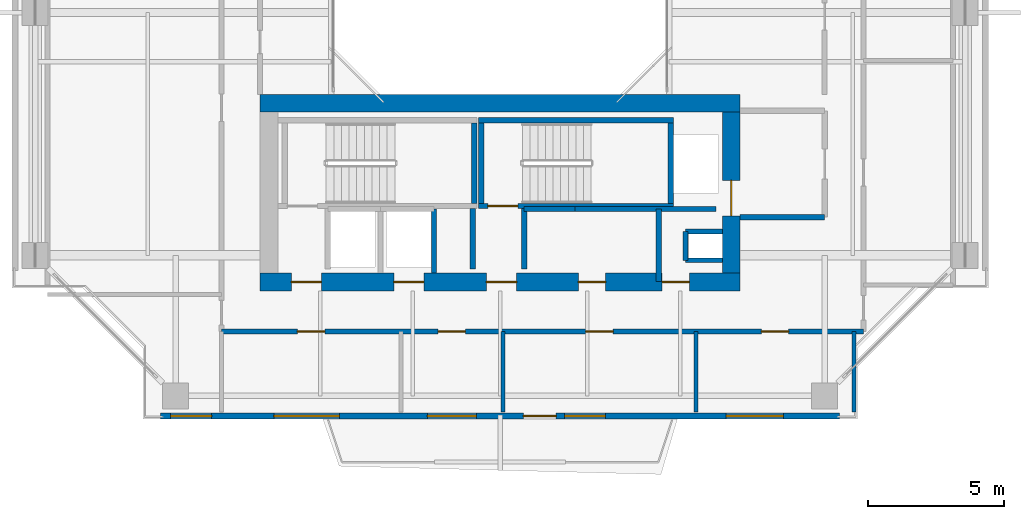
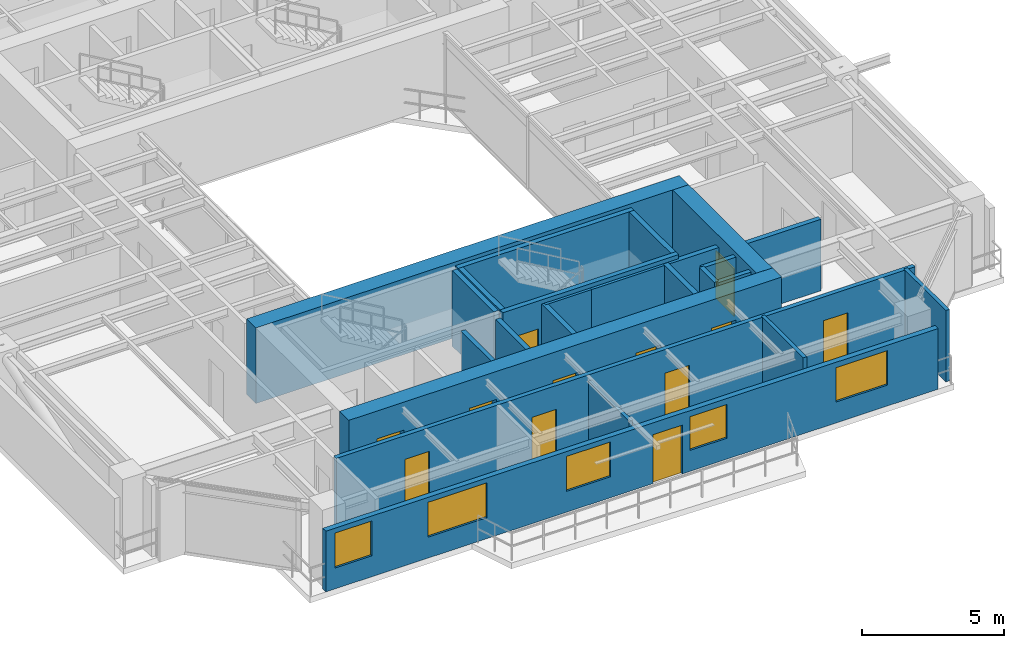
# One storey, part 8 of 14: 23 walls, 12 doors, 5 windows, 17 openings.
"""IFC4 building model written with IfcOpenShell, lengths in metres."""

from ifc_helpers import new_model, si_unit, direction, frame, frame_2d, origin, place, context, subcontext, project, spatial, rectangle, extrude, source, transform, mapped, material, layer, layer_set, type_object, element, fill, save


model = new_model("IFC4")

# Units and contexts
model_context = context("Model", 3, precision=1e-05, world=origin(), true_north=direction((0.0, 1.0)))
body_context = subcontext(model_context, "Body", "Model", "MODEL_VIEW")
ifc_project = project(units=[si_unit("LENGTHUNIT", "METRE"), si_unit("AREAUNIT", "SQUARE_METRE"), si_unit("VOLUMEUNIT", "CUBIC_METRE"), si_unit("PLANEANGLEUNIT", "RADIAN"), si_unit("MASSUNIT", "GRAM", prefix="KILO"), si_unit("THERMODYNAMICTEMPERATUREUNIT", "KELVIN"), si_unit("POWERUNIT", "WATT")], contexts=[model_context])

# Site, building, storey
site_placement = place(None, origin())
site = spatial("IfcSite", under=ifc_project, at=site_placement, CompositionType="ELEMENT")
building_placement = place(site_placement, origin())
building = spatial("IfcBuilding", under=site, at=building_placement, Name="Qiaomeng Ring Towers", CompositionType="ELEMENT")
storey_placement = place(building_placement, frame((0.0, 0.0, 176.25)))
storey = spatial("IfcBuildingStorey", under=building, at=storey_placement, Name="L51", CompositionType="ELEMENT", Elevation=176.25)

# Wall, openings, windows, door
ifc_material_1 = material(Name="Precast concrete C40", Category="concrete")
ifc_layer_1 = layer(ifc_material_1, 0.219970703125, Name="Precast concrete C40")
ifc_layer_set_1 = layer_set([ifc_layer_1], Name="Precast concrete C40")
wall_type_1 = type_object("IfcWallType", Name="ARC-WL-EW2", PredefinedType="STANDARD", material=ifc_layer_set_1)
wall_1_placement = place(storey_placement, frame((6.550048828125, 5.2099609375, 0.0), z_axis=(0.0, 0.0, 1.0), x_axis=(1.0, 0.0, 0.0)))
wall_1 = element("IfcWall", 1, at=wall_1_placement, inside=storey, type_object=wall_type_1, Name="L51 Tower 1 S Exterior Wall", PredefinedType="STANDARD", context=body_context, shape_type="SweptSolid", body=[
    extrude(rectangle(XDim=24.89990234375, YDim=0.219970703125, at=frame_2d((12.449951171875, 0.0))), origin(), (0.0, 0.0, 1.0), 2.610107421875),
])
opening_1_placement = place(wall_1_placement, frame((13.300048828125, 0.0, 0.0)))
opening_1 = element("IfcOpeningElement", 2, at=opening_1_placement, cuts=wall_1, Name="Opening BD1", PredefinedType="OPENING", context=body_context, shape_type="SweptSolid", body=[
    extrude(rectangle(XDim=1.199951171875, YDim=2.10009765625, at=frame_2d((0.60009765625, 1.050048828125))), frame((0.0, 0.119873046875, 0.0), z_axis=(0.0, -1.0, 0.0), x_axis=(1.0, 0.0, 0.0)), (0.0, 0.0, 1.0), 0.239990234375),
])
opening_2_placement = place(wall_1_placement, frame((0.37255859375, 0.0, 0.89990234375)))
opening_2 = element("IfcOpeningElement", 3, at=opening_2_placement, cuts=wall_1, Name="Opening WN2", PredefinedType="OPENING", context=body_context, shape_type="SweptSolid", body=[
    extrude(rectangle(XDim=1.5, YDim=1.5, at=frame_2d((0.75, 0.75))), frame((0.0, 0.119873046875, 0.0), z_axis=(0.0, -1.0, 0.0), x_axis=(1.0, 0.0, 0.0)), (0.0, 0.0, 1.0), 0.239990234375),
])
opening_3_placement = place(wall_1_placement, frame((9.780029296875, 0.0, 0.89990234375)))
opening_3 = element("IfcOpeningElement", 4, at=opening_3_placement, cuts=wall_1, Name="Opening WN1", PredefinedType="OPENING", context=body_context, shape_type="SweptSolid", body=[
    extrude(rectangle(XDim=1.800048828125, YDim=1.5, at=frame_2d((0.89990234375, 0.75))), frame((0.0, 0.119873046875, 0.0), z_axis=(0.0, -1.0, 0.0), x_axis=(1.0, 0.0, 0.0)), (0.0, 0.0, 1.0), 0.239990234375),
])
opening_4_placement = place(wall_1_placement, frame((14.81298828125, 0.0, 0.89990234375)))
opening_4 = element("IfcOpeningElement", 5, at=opening_4_placement, cuts=wall_1, Name="Opening WN2", PredefinedType="OPENING", context=body_context, shape_type="SweptSolid", body=[
    extrude(rectangle(XDim=1.5, YDim=1.449951171875, at=frame_2d((0.75, 0.72509765625))), frame((0.0, 0.119873046875, 0.0), z_axis=(0.0, -1.0, 0.0), x_axis=(1.0, 0.0, 0.0)), (0.0, 0.0, 1.0), 0.239990234375),
])
opening_5_placement = place(wall_1_placement, frame((20.738037109375, 0.0, 0.89990234375)))
opening_5 = element("IfcOpeningElement", 6, at=opening_5_placement, cuts=wall_1, Name="Opening WN4", PredefinedType="OPENING", context=body_context, shape_type="SweptSolid", body=[
    extrude(rectangle(XDim=2.10009765625, YDim=1.47998046875, at=frame_2d((1.050048828125, 0.739990234375))), frame((0.0, 0.119873046875, 0.0), z_axis=(0.0, -1.0, 0.0), x_axis=(1.0, 0.0, 0.0)), (0.0, 0.0, 1.0), 0.239990234375),
])
opening_6_placement = place(wall_1_placement, frame((4.151611328125, 0.0, 0.89990234375)))
opening_6 = element("IfcOpeningElement", 7, at=opening_6_placement, cuts=wall_1, Name="Opening WN6", PredefinedType="OPENING", context=body_context, shape_type="SweptSolid", body=[
    extrude(rectangle(XDim=2.39990234375, YDim=1.5, at=frame_2d((1.199951171875, 0.75))), frame((0.0, 0.119873046875, 0.0), z_axis=(0.0, -1.0, 0.0), x_axis=(1.0, 0.0, 0.0)), (0.0, 0.0, 1.0), 0.239990234375),
])
ifc_material_2 = material(Name="Low-E dark-grey laminated double glazing", Category="glass")
window_type_1 = type_object("IfcWindowType", Name="ARC-WN-2", PartitioningType="DOUBLE_PANEL_VERTICAL", PredefinedType="WINDOW", material=ifc_material_2)
shared_shape_1 = source(origin(), body_context, "Body", "SweptSolid", [
    extrude(rectangle(XDim=1.5, YDim=1.449951171875, at=frame_2d((0.75, 0.72509765625))), frame((0.0, 0.030029296875, 0.0), z_axis=(0.0, -1.0, 0.0), x_axis=(1.0, 0.0, 0.0)), (0.0, 0.0, 1.0), 0.06005859375),
])
window_1_placement = place(opening_4_placement, origin())
window_1 = element("IfcWindow", 8, at=window_1_placement, inside=storey, type_object=window_type_1, Name="L51 Exterior Window WN2", OverallHeight=1.449951171875, OverallWidth=1.5, PartitioningType="DOUBLE_PANEL_VERTICAL", PredefinedType="WINDOW", context=body_context, shape_type="MappedRepresentation", body=[
    mapped(shared_shape_1, transform((0.0, 0.0, 0.0), x_axis=(1.0, 0.0, 0.0), y_axis=(0.0, 1.0, 0.0), z_axis=(0.0, 0.0, 1.0), scale=1.0)),
])
fill(opening_4, window_1)
window_type_2 = type_object("IfcWindowType", Name="ARC-WN-4", PartitioningType="TRIPLE_PANEL_VERTICAL", PredefinedType="WINDOW", material=ifc_material_2)
shared_shape_2 = source(origin(), body_context, "Body", "SweptSolid", [
    extrude(rectangle(XDim=2.10009765625, YDim=1.47998046875, at=frame_2d((1.050048828125, 0.739990234375))), frame((0.0, 0.030029296875, 0.0), z_axis=(0.0, -1.0, 0.0), x_axis=(1.0, 0.0, 0.0)), (0.0, 0.0, 1.0), 0.06005859375),
])
window_2_placement = place(opening_5_placement, origin())
window_2 = element("IfcWindow", 9, at=window_2_placement, inside=storey, type_object=window_type_2, Name="L51 Exterior Window WN4", OverallHeight=1.47998046875, OverallWidth=2.10009765625, PartitioningType="TRIPLE_PANEL_VERTICAL", PredefinedType="WINDOW", context=body_context, shape_type="MappedRepresentation", body=[
    mapped(shared_shape_2, transform((0.0, 0.0, 0.0), x_axis=(1.0, 0.0, 0.0), y_axis=(0.0, 1.0, 0.0), z_axis=(0.0, 0.0, 1.0), scale=1.0)),
])
fill(opening_5, window_2)
door_type_1 = type_object("IfcDoorType", Name="ARC-DR-BD1", OperationType="NOTDEFINED", PredefinedType="DOOR", material=ifc_material_2)
shared_shape_3 = source(origin(), body_context, "Body", "SweptSolid", [
    extrude(rectangle(XDim=1.199951171875, YDim=2.10009765625, at=frame_2d((0.60009765625, 1.050048828125))), frame((0.0, 0.02490234375, 0.0), z_axis=(0.0, -1.0, 0.0), x_axis=(1.0, 0.0, 0.0)), (0.0, 0.0, 1.0), 0.050048828125),
])
door_1_placement = place(opening_1_placement, frame((1.199951171875, 0.0, 0.0), z_axis=(0.0, 0.0, 1.0), x_axis=(-1.0, 0.0, 0.0)))
door_1 = element("IfcDoor", 10, at=door_1_placement, inside=storey, type_object=door_type_1, Name="L51 S Balcony Glazed Door", OperationType="SINGLE_SWING_LEFT", OverallHeight=2.10009765625, OverallWidth=1.199951171875, PredefinedType="DOOR", context=body_context, shape_type="MappedRepresentation", body=[
    mapped(shared_shape_3, transform((0.0, 0.0, 0.0), x_axis=(1.0, 0.0, 0.0), y_axis=(0.0, 1.0, 0.0), z_axis=(0.0, 0.0, 1.0), scale=1.0)),
])
fill(opening_1, door_1)
shared_shape_4 = source(origin(), body_context, "Body", "SweptSolid", [
    extrude(rectangle(XDim=1.5, YDim=1.5, at=frame_2d((0.75, 0.75))), frame((0.0, 0.030029296875, 0.0), z_axis=(0.0, -1.0, 0.0), x_axis=(1.0, 0.0, 0.0)), (0.0, 0.0, 1.0), 0.06005859375),
])
window_3_placement = place(opening_2_placement, origin())
window_3 = element("IfcWindow", 11, at=window_3_placement, inside=storey, type_object=window_type_1, Name="L51 Exterior Window WN6", OverallHeight=1.5, OverallWidth=1.5, PartitioningType="TRIPLE_PANEL_VERTICAL", PredefinedType="WINDOW", context=body_context, shape_type="MappedRepresentation", body=[
    mapped(shared_shape_4, transform((0.0, 0.0, 0.0), x_axis=(1.0, 0.0, 0.0), y_axis=(0.0, 1.0, 0.0), z_axis=(0.0, 0.0, 1.0), scale=1.0)),
])
fill(opening_2, window_3)
window_type_3 = type_object("IfcWindowType", Name="ARC-WN-6", PartitioningType="TRIPLE_PANEL_VERTICAL", PredefinedType="WINDOW", material=ifc_material_2)
shared_shape_5 = source(origin(), body_context, "Body", "SweptSolid", [
    extrude(rectangle(XDim=2.39990234375, YDim=1.5, at=frame_2d((1.199951171875, 0.75))), frame((0.0, 0.030029296875, 0.0), z_axis=(0.0, -1.0, 0.0), x_axis=(1.0, 0.0, 0.0)), (0.0, 0.0, 1.0), 0.06005859375),
])
window_4_placement = place(opening_6_placement, origin())
window_4 = element("IfcWindow", 12, at=window_4_placement, inside=storey, type_object=window_type_3, Name="L51 Exterior Window WN6", OverallHeight=1.5, OverallWidth=2.39990234375, PartitioningType="TRIPLE_PANEL_VERTICAL", PredefinedType="WINDOW", context=body_context, shape_type="MappedRepresentation", body=[
    mapped(shared_shape_5, transform((0.0, 0.0, 0.0), x_axis=(1.0, 0.0, 0.0), y_axis=(0.0, 1.0, 0.0), z_axis=(0.0, 0.0, 1.0), scale=1.0)),
])
fill(opening_6, window_4)
window_type_4 = type_object("IfcWindowType", Name="ARC-WN-1", PartitioningType="DOUBLE_PANEL_VERTICAL", PredefinedType="WINDOW", material=ifc_material_2)
shared_shape_6 = source(origin(), body_context, "Body", "SweptSolid", [
    extrude(rectangle(XDim=1.800048828125, YDim=1.5, at=frame_2d((0.89990234375, 0.75))), frame((0.0, 0.030029296875, 0.0), z_axis=(0.0, -1.0, 0.0), x_axis=(1.0, 0.0, 0.0)), (0.0, 0.0, 1.0), 0.06005859375),
])
window_5_placement = place(opening_3_placement, origin())
window_5 = element("IfcWindow", 13, at=window_5_placement, inside=storey, type_object=window_type_4, Name="L51 Exterior Window WN1", OverallHeight=1.5, OverallWidth=1.800048828125, PartitioningType="DOUBLE_PANEL_VERTICAL", PredefinedType="WINDOW", context=body_context, shape_type="MappedRepresentation", body=[
    mapped(shared_shape_6, transform((0.0, 0.0, 0.0), x_axis=(1.0, 0.0, 0.0), y_axis=(0.0, 1.0, 0.0), z_axis=(0.0, 0.0, 1.0), scale=1.0)),
])
fill(opening_3, window_5)

# Walls
ifc_material_3 = material(Name="Autoclaved aerated concrete block", Category="concrete")
ifc_layer_2 = layer(ifc_material_3, 0.199951171875, Name="Autoclaved aerated concrete block")
ifc_layer_set_2 = layer_set([ifc_layer_2], Name="Autoclaved aerated concrete block")
wall_type_2 = type_object("IfcWallType", Name="ARC-WL-PW1", PredefinedType="PARTITIONING", material=ifc_layer_set_2)
wall_2_placement = place(storey_placement, frame((27.800048828125, 12.5, 0.0), z_axis=(0.0, 0.0, 1.0), x_axis=(1.0, 0.0, 0.0)))
element("IfcWall", 14, at=wall_2_placement, inside=storey, type_object=wall_type_2, Name="L51 Interior Wall PW1", PredefinedType="PARTITIONING", context=body_context, shape_type="SweptSolid", body=[
    extrude(rectangle(XDim=3.099853515625, YDim=0.199951171875, at=frame_2d((1.5498046875, 0.0))), origin(), (0.0, 0.0, 1.0), 3.070068359375),
])
for number, where, z_axis, x_axis, name in (
    (15, (18.0, 10.60009765625, 0.0), (0.0, 0.0, 1.0), (0.0, 1.0, 0.0), "L51 Interior Wall PW1"),
    (16, (19.8798828125, 10.60009765625, 0.0), (0.0, 0.0, 1.0), (0.0, 1.0, 0.0), "L51 Interior Wall PW1"),
):
    element("IfcWall", number, at=place(storey_placement, frame(where, z_axis=z_axis, x_axis=x_axis)), inside=storey, type_object=wall_type_2, Name=name, PredefinedType="PARTITIONING", context=body_context, shape_type="SweptSolid", body=[
        extrude(rectangle(XDim=2.2099609375, YDim=0.199951171875, at=frame_2d((1.10498046875, 0.0))), origin(), (0.0, 0.0, 1.0), 3.070068359375),
    ])
wall_3_placement = place(storey_placement, frame((24.820068359375, 10.14990234375, 0.0), z_axis=(0.0, 0.0, 1.0), x_axis=(0.0, 1.0, 0.0)))
element("IfcWall", 17, at=wall_3_placement, inside=storey, type_object=wall_type_2, Name="L51 Interior Wall PW1", PredefinedType="PARTITIONING", context=body_context, shape_type="SweptSolid", body=[
    extrude(rectangle(XDim=2.650146484375, YDim=0.199951171875, at=frame_2d((1.3251953125, 0.0))), origin(), (0.0, 0.0, 1.0), 3.070068359375),
])
wall_4_placement = place(storey_placement, frame((19.8798828125, 12.800048828125, 0.0), z_axis=(0.0, 0.0, 1.0), x_axis=(1.0, 0.0, 0.0)))
element("IfcWall", 18, at=wall_4_placement, inside=storey, type_object=wall_type_2, Name="L51 Interior Wall PW1", PredefinedType="PARTITIONING", context=body_context, shape_type="SweptSolid", body=[
    extrude(rectangle(XDim=1.8701171875, YDim=0.199951171875, at=frame_2d((0.93505859375, 0.0))), origin(), (0.0, 0.0, 1.0), 3.070068359375),
])
wall_5_placement = place(storey_placement, frame((21.75, 12.800048828125, 0.0), z_axis=(0.0, 0.0, 1.0), x_axis=(1.0, 0.0, 0.0)))
element("IfcWall", 19, at=wall_5_placement, inside=storey, type_object=wall_type_2, Name="L51 Interior Wall PW1", PredefinedType="PARTITIONING", context=body_context, shape_type="SweptSolid", body=[
    extrude(rectangle(XDim=5.169921875, YDim=0.199951171875, at=frame_2d((2.5849609375, 0.0))), origin(), (0.0, 0.0, 1.0), 3.070068359375),
])

# Wall, openings, doors
ifc_layer_3 = layer(ifc_material_3, 0.179931640625, Name="Autoclaved aerated concrete block")
ifc_layer_set_3 = layer_set([ifc_layer_3], Name="Autoclaved aerated concrete block")
wall_type_3 = type_object("IfcWallType", Name="ARC-WL-PW2", PredefinedType="PARTITIONING", material=ifc_layer_set_3)
wall_6_placement = place(storey_placement, frame((8.780029296875, 8.31005859375, 0.0), z_axis=(0.0, 0.0, 1.0), x_axis=(1.0, 0.0, 0.0)))
wall_6 = element("IfcWall", 20, at=wall_6_placement, inside=storey, type_object=wall_type_3, Name="L51 Interior Wall PW2", PredefinedType="PARTITIONING", context=body_context, shape_type="SweptSolid", body=[
    extrude(rectangle(XDim=23.5400390625, YDim=0.179931640625, at=frame_2d((11.77001953125, 0.0))), origin(), (0.0, 0.0, 1.0), 3.070068359375),
])
opening_7_placement = place(wall_6_placement, frame((2.7900390625, 0.0, 0.0)))
opening_7 = element("IfcOpeningElement", 21, at=opening_7_placement, cuts=wall_6, Name="Opening FD4", PredefinedType="OPENING", context=body_context, shape_type="SweptSolid", body=[
    extrude(rectangle(XDim=1.0, YDim=2.050048828125, at=frame_2d((0.5, 1.02490234375))), frame((0.0, 0.099853515625, 0.0), z_axis=(0.0, -1.0, 0.0), x_axis=(1.0, 0.0, 0.0)), (0.0, 0.0, 1.0), 0.199951171875),
])
opening_8_placement = place(wall_6_placement, frame((7.949951171875, 0.0, 0.0)))
opening_8 = element("IfcOpeningElement", 22, at=opening_8_placement, cuts=wall_6, Name="Opening FD4", PredefinedType="OPENING", context=body_context, shape_type="SweptSolid", body=[
    extrude(rectangle(XDim=1.0, YDim=2.050048828125, at=frame_2d((0.5, 1.02490234375))), frame((0.0, 0.099853515625, 0.0), z_axis=(0.0, -1.0, 0.0), x_axis=(1.0, 0.0, 0.0)), (0.0, 0.0, 1.0), 0.199951171875),
])
opening_9_placement = place(wall_6_placement, frame((13.360107421875, 0.0, 0.0)))
opening_9 = element("IfcOpeningElement", 23, at=opening_9_placement, cuts=wall_6, Name="Opening FD4", PredefinedType="OPENING", context=body_context, shape_type="SweptSolid", body=[
    extrude(rectangle(XDim=1.0, YDim=2.050048828125, at=frame_2d((0.5, 1.02490234375))), frame((0.0, 0.099853515625, 0.0), z_axis=(0.0, -1.0, 0.0), x_axis=(1.0, 0.0, 0.0)), (0.0, 0.0, 1.0), 0.199951171875),
])
opening_10_placement = place(wall_6_placement, frame((19.800048828125, 0.0, 0.0)))
opening_10 = element("IfcOpeningElement", 24, at=opening_10_placement, cuts=wall_6, Name="Opening FD4", PredefinedType="OPENING", context=body_context, shape_type="SweptSolid", body=[
    extrude(rectangle(XDim=1.0, YDim=2.050048828125, at=frame_2d((0.5, 1.02490234375))), frame((0.0, 0.099853515625, 0.0), z_axis=(0.0, -1.0, 0.0), x_axis=(1.0, 0.0, 0.0)), (0.0, 0.0, 1.0), 0.199951171875),
])
ifc_material_4 = material(Name="Engineered fire-rated oak timber", Category="wood")
door_type_2 = type_object("IfcDoorType", Name="ARC-DR-FD4", OperationType="NOTDEFINED", PredefinedType="DOOR", material=ifc_material_4)
shared_shape_7 = source(origin(), body_context, "Body", "SweptSolid", [
    extrude(rectangle(XDim=1.0, YDim=2.050048828125, at=frame_2d((0.5, 1.02490234375))), frame((0.0, 0.02490234375, 0.0), z_axis=(0.0, -1.0, 0.0), x_axis=(1.0, 0.0, 0.0)), (0.0, 0.0, 1.0), 0.050048828125),
])
door_2_placement = place(opening_7_placement, origin())
door_2 = element("IfcDoor", 25, at=door_2_placement, inside=storey, type_object=door_type_2, Name="L51 Door FD4", OperationType="SINGLE_SWING_RIGHT", OverallHeight=2.050048828125, OverallWidth=1.0, PredefinedType="DOOR", context=body_context, shape_type="MappedRepresentation", body=[
    mapped(shared_shape_7, transform((0.0, 0.0, 0.0), x_axis=(1.0, 0.0, 0.0), y_axis=(0.0, 1.0, 0.0), z_axis=(0.0, 0.0, 1.0), scale=1.0)),
])
fill(opening_7, door_2)
door_3_placement = place(opening_8_placement, origin())
door_3 = element("IfcDoor", 26, at=door_3_placement, inside=storey, type_object=door_type_2, Name="L51 Door FD4", OperationType="SINGLE_SWING_LEFT", OverallHeight=2.050048828125, OverallWidth=1.0, PredefinedType="DOOR", context=body_context, shape_type="MappedRepresentation", body=[
    mapped(shared_shape_7, transform((0.0, 0.0, 0.0), x_axis=(1.0, 0.0, 0.0), y_axis=(0.0, 1.0, 0.0), z_axis=(0.0, 0.0, 1.0), scale=1.0)),
])
fill(opening_8, door_3)
door_4_placement = place(opening_9_placement, origin())
door_4 = element("IfcDoor", 27, at=door_4_placement, inside=storey, type_object=door_type_2, Name="L51 Door FD4", OperationType="SINGLE_SWING_RIGHT", OverallHeight=2.050048828125, OverallWidth=1.0, PredefinedType="DOOR", context=body_context, shape_type="MappedRepresentation", body=[
    mapped(shared_shape_7, transform((0.0, 0.0, 0.0), x_axis=(1.0, 0.0, 0.0), y_axis=(0.0, 1.0, 0.0), z_axis=(0.0, 0.0, 1.0), scale=1.0)),
])
fill(opening_9, door_4)
door_5_placement = place(opening_10_placement, origin())
door_5 = element("IfcDoor", 28, at=door_5_placement, inside=storey, type_object=door_type_2, Name="L51 Door FD4", OperationType="SINGLE_SWING_LEFT", OverallHeight=2.050048828125, OverallWidth=1.0, PredefinedType="DOOR", context=body_context, shape_type="MappedRepresentation", body=[
    mapped(shared_shape_7, transform((0.0, 0.0, 0.0), x_axis=(1.0, 0.0, 0.0), y_axis=(0.0, 1.0, 0.0), z_axis=(0.0, 0.0, 1.0), scale=1.0)),
])
fill(opening_10, door_5)

# Walls
ifc_material_5 = material(Name="Gypsum fireboard steel-stud partition", Category="steel")
ifc_layer_4 = layer(ifc_material_5, 0.14990234375, Name="Gypsum fireboard steel-stud partition")
ifc_layer_set_4 = layer_set([ifc_layer_4], Name="Gypsum fireboard steel-stud partition")
wall_type_4 = type_object("IfcWallType", Name="ARC-WL-PW3", PredefinedType="PARTITIONING", material=ifc_layer_set_4)
wall_7_placement = place(storey_placement, frame((19.10009765625, 5.35009765625, 0.0), z_axis=(0.0, 0.0, 1.0), x_axis=(0.0, 1.0, 0.0)))
element("IfcWall", 29, at=wall_7_placement, inside=storey, type_object=wall_type_4, Name="L51 Interior Wall PW3", PredefinedType="PARTITIONING", context=body_context, shape_type="SweptSolid", body=[
    extrude(rectangle(XDim=2.9599609375, YDim=0.14990234375, at=frame_2d((1.47998046875, 0.0))), origin(), (0.0, 0.0, 1.0), 2.81494140625),
])
for number, where, z_axis, x_axis, name in (
    (30, (26.179931640625, 5.35009765625, 0.0), (0.0, 0.0, 1.0), (0.0, 1.0, 0.0), "L51 Interior Wall PW3"),
    (31, (31.97998046875, 5.35009765625, 0.0), (0.0, 0.0, 1.0), (0.0, 1.0, 0.0), "L51 Interior Wall PW3"),
):
    element("IfcWall", number, at=place(storey_placement, frame(where, z_axis=z_axis, x_axis=x_axis)), inside=storey, type_object=wall_type_4, Name=name, PredefinedType="PARTITIONING", context=body_context, shape_type="SweptSolid", body=[
        extrude(rectangle(XDim=2.9599609375, YDim=0.14990234375, at=frame_2d((1.47998046875, 0.0))), origin(), (0.0, 0.0, 1.0), 3.070068359375),
    ])
ifc_material_6 = material(Name="Concrete C40", Category="concrete")
ifc_layer_5 = layer(ifc_material_6, 0.199951171875, Name="Concrete C40")
ifc_layer_set_5 = layer_set([ifc_layer_5], Name="Concrete C40")
wall_type_5 = type_object("IfcWallType", Name="STR-WL-STSHAFT", PredefinedType="SHEAR", material=ifc_layer_set_5)
wall_8_placement = place(storey_placement, frame((25.800048828125, 10.919921875, 0.0), z_axis=(0.0, 0.0, 1.0), x_axis=(0.0, 1.0, 0.0)))
element("IfcWall", 32, at=wall_8_placement, inside=storey, type_object=wall_type_5, Name="L51 Riser RSR1 West Shaft Wall S", PredefinedType="SHEAR", context=body_context, shape_type="SweptSolid", body=[
    extrude(rectangle(XDim=1.06005859375, YDim=0.179931640625, at=frame_2d((0.530029296875, 0.0))), origin(), (0.0, 0.0, 1.0), 3.070068359375),
])
for number, where, z_axis, x_axis, name in (
    (33, (25.800048828125, 11.97998046875, 0.0), (0.0, 0.0, 1.0), (1.0, 0.0, 0.0), "L51 Riser RSR1 North Shaft Wall S"),
    (34, (25.800048828125, 10.919921875, 0.0), (0.0, 0.0, 1.0), (1.0, 0.0, 0.0), "L51 Riser RSR1 South Shaft Wall S"),
):
    element("IfcWall", number, at=place(storey_placement, frame(where, z_axis=z_axis, x_axis=x_axis)), inside=storey, type_object=wall_type_5, Name=name, PredefinedType="SHEAR", context=body_context, shape_type="SweptSolid", body=[
        extrude(rectangle(XDim=1.349853515625, YDim=0.179931640625, at=frame_2d((0.6748046875, 0.0))), origin(), (0.0, 0.0, 1.0), 3.070068359375),
    ])
wall_9_placement = place(storey_placement, frame((16.580078125, 10.449951171875, 0.0), z_axis=(0.0, 0.0, 1.0), x_axis=(0.0, 1.0, 0.0)))
element("IfcWall", 35, at=wall_9_placement, inside=storey, type_object=wall_type_5, Name="L51 Lift LP4 East Shaft Wall", PredefinedType="SHEAR", context=body_context, shape_type="SweptSolid", body=[
    extrude(rectangle(XDim=2.35009765625, YDim=0.179931640625, at=frame_2d((1.175048828125, 0.0))), origin(), (0.0, 0.0, 1.0), 3.070068359375),
])
wall_10_placement = place(storey_placement, frame((18.050048828125, 13.010009765625, 0.0), z_axis=(0.0, 0.0, 1.0), x_axis=(0.0, 1.0, 0.0)))
element("IfcWall", 36, at=wall_10_placement, inside=storey, type_object=wall_type_5, Name="L51 Stair ST3 East Shaft Shear Wall", PredefinedType="SHEAR", context=body_context, shape_type="SweptSolid", body=[
    extrude(rectangle(XDim=2.93994140625, YDim=0.199951171875, at=frame_2d((1.469970703125, 0.0))), origin(), (0.0, 0.0, 1.0), 3.25),
])

# Wall, opening, door
wall_11_placement = place(storey_placement, frame((18.199951171875, 12.909912109375, 0.0), z_axis=(0.0, 0.0, 1.0), x_axis=(1.0, 0.0, 0.0)))
wall_11 = element("IfcWall", 37, at=wall_11_placement, inside=storey, type_object=wall_type_5, Name="L51 Stair ST4 South Shaft Shear Wall", PredefinedType="SHEAR", context=body_context, shape_type="SweptSolid", body=[
    extrude(rectangle(XDim=7.150146484375, YDim=0.199951171875, at=frame_2d((3.5751953125, 0.0))), origin(), (0.0, 0.0, 1.0), 3.25),
])
opening_11_placement = place(wall_11_placement, frame((0.35009765625, 0.0, 0.0)))
opening_11 = element("IfcOpeningElement", 38, at=opening_11_placement, cuts=wall_11, Name="Opening FD3", PredefinedType="OPENING", context=body_context, shape_type="SweptSolid", body=[
    extrude(rectangle(XDim=1.10009765625, YDim=2.050048828125, at=frame_2d((0.550048828125, 1.02490234375))), frame((0.0, 0.10986328125, 0.0), z_axis=(0.0, -1.0, 0.0), x_axis=(1.0, 0.0, 0.0)), (0.0, 0.0, 1.0), 0.219970703125),
])
ifc_material_7 = material(Name="Galvanised steel", Category="steel")
door_type_3 = type_object("IfcDoorType", Name="ARC-DR-FD3", OperationType="NOTDEFINED", PredefinedType="DOOR", material=ifc_material_7)
shared_shape_8 = source(origin(), body_context, "Body", "SweptSolid", [
    extrude(rectangle(XDim=1.10009765625, YDim=2.050048828125, at=frame_2d((0.550048828125, 1.02490234375))), frame((0.0, 0.02490234375, 0.0), z_axis=(0.0, -1.0, 0.0), x_axis=(1.0, 0.0, 0.0)), (0.0, 0.0, 1.0), 0.050048828125),
])
door_6_placement = place(opening_11_placement, frame((1.10009765625, 0.0, 0.0), z_axis=(0.0, 0.0, 1.0), x_axis=(-1.0, 0.0, 0.0)))
door_6 = element("IfcDoor", 39, at=door_6_placement, inside=storey, type_object=door_type_3, Name="L51 Stair ST4 Exit Door", OperationType="SINGLE_SWING_RIGHT", OverallHeight=2.050048828125, OverallWidth=1.10009765625, PredefinedType="DOOR", context=body_context, shape_type="MappedRepresentation", body=[
    mapped(shared_shape_8, transform((0.0, 0.0, 0.0), x_axis=(1.0, 0.0, 0.0), y_axis=(0.0, 1.0, 0.0), z_axis=(0.0, 0.0, 1.0), scale=1.0)),
])
fill(opening_11, door_6)

# Walls
wall_12_placement = place(storey_placement, frame((18.199951171875, 16.050048828125, 0.0), z_axis=(0.0, 0.0, 1.0), x_axis=(1.0, 0.0, 0.0)))
element("IfcWall", 40, at=wall_12_placement, inside=storey, type_object=wall_type_5, Name="L51 Stair ST4 North Shaft Shear Wall", PredefinedType="SHEAR", context=body_context, shape_type="SweptSolid", body=[
    extrude(rectangle(XDim=7.150146484375, YDim=0.199951171875, at=frame_2d((3.5751953125, 0.0))), origin(), (0.0, 0.0, 1.0), 3.25),
])
for number, where, z_axis, x_axis, name in (
    (41, (18.300048828125, 13.010009765625, 0.0), (0.0, 0.0, 1.0), (0.0, 1.0, 0.0), "L51 Stair ST4 West Shaft Shear Wall"),
    (42, (25.25, 13.010009765625, 0.0), (0.0, 0.0, 1.0), (0.0, 1.0, 0.0), "L51 Stair ST4 East Shaft Shear Wall"),
):
    element("IfcWall", number, at=place(storey_placement, frame(where, z_axis=z_axis, x_axis=x_axis)), inside=storey, type_object=wall_type_5, Name=name, PredefinedType="SHEAR", context=body_context, shape_type="SweptSolid", body=[
        extrude(rectangle(XDim=2.93994140625, YDim=0.199951171875, at=frame_2d((1.469970703125, 0.0))), origin(), (0.0, 0.0, 1.0), 3.25),
    ])

# Wall, openings, doors
ifc_material_8 = material(Name="Concrete C50", Category="concrete")
ifc_layer_6 = layer(ifc_material_8, 0.64990234375, Name="Concrete C50")
ifc_layer_set_6 = layer_set([ifc_layer_6], Name="Concrete C50")
wall_type_6 = type_object("IfcWallType", Name="STR-WL-SW2B", PredefinedType="SHEAR", material=ifc_layer_set_6)
wall_13_placement = place(storey_placement, frame((10.199951171875, 10.125, 0.0), z_axis=(0.0, 0.0, 1.0), x_axis=(1.0, 0.0, 0.0)))
wall_13 = element("IfcWall", 43, at=wall_13_placement, inside=storey, type_object=wall_type_6, Name="L51 T1SC south core shear wall", PredefinedType="SHEAR", context=body_context, shape_type="SweptSolid", body=[
    extrude(rectangle(XDim=17.60009765625, YDim=0.64990234375, at=frame_2d((8.800048828125, 0.0))), origin(), (0.0, 0.0, 1.0), 3.25),
])
opening_12_placement = place(wall_13_placement, frame((1.14990234375, 0.0, 0.0)))
opening_12 = element("IfcOpeningElement", 44, at=opening_12_placement, cuts=wall_13, Name="Opening FD3", PredefinedType="OPENING", context=body_context, shape_type="SweptSolid", body=[
    extrude(rectangle(XDim=1.10009765625, YDim=2.050048828125, at=frame_2d((0.550048828125, 1.02490234375))), frame((0.0, 0.3349609375, 0.0), z_axis=(0.0, -1.0, 0.0), x_axis=(1.0, 0.0, 0.0)), (0.0, 0.0, 1.0), 0.669921875),
])
opening_13_placement = place(wall_13_placement, frame((8.300048828125, 0.0, 0.0)))
opening_13 = element("IfcOpeningElement", 45, at=opening_13_placement, cuts=wall_13, Name="Opening FD3", PredefinedType="OPENING", context=body_context, shape_type="SweptSolid", body=[
    extrude(rectangle(XDim=1.10009765625, YDim=2.050048828125, at=frame_2d((0.550048828125, 1.02490234375))), frame((0.0, 0.3349609375, 0.0), z_axis=(0.0, -1.0, 0.0), x_axis=(1.0, 0.0, 0.0)), (0.0, 0.0, 1.0), 0.669921875),
])
opening_14_placement = place(wall_13_placement, frame((4.89990234375, 0.0, 0.0)))
opening_14 = element("IfcOpeningElement", 46, at=opening_14_placement, cuts=wall_13, Name="Opening LD1", PredefinedType="OPENING", context=body_context, shape_type="SweptSolid", body=[
    extrude(rectangle(XDim=1.10009765625, YDim=2.050048828125, at=frame_2d((0.550048828125, 1.02490234375))), frame((0.0, 0.3349609375, 0.0), z_axis=(0.0, -1.0, 0.0), x_axis=(1.0, 0.0, 0.0)), (0.0, 0.0, 1.0), 0.669921875),
])
opening_15_placement = place(wall_13_placement, frame((14.739990234375, 0.0, 0.0)))
opening_15 = element("IfcOpeningElement", 47, at=opening_15_placement, cuts=wall_13, Name="Opening FD1", PredefinedType="OPENING", context=body_context, shape_type="SweptSolid", body=[
    extrude(rectangle(XDim=1.0, YDim=2.050048828125, at=frame_2d((0.5, 1.02490234375))), frame((0.0, 0.3349609375, 0.0), z_axis=(0.0, -1.0, 0.0), x_axis=(1.0, 0.0, 0.0)), (0.0, 0.0, 1.0), 0.669921875),
])
opening_16_placement = place(wall_13_placement, frame((11.669921875, 0.0, 0.0)))
opening_16 = element("IfcOpeningElement", 48, at=opening_16_placement, cuts=wall_13, Name="Opening FD1", PredefinedType="OPENING", context=body_context, shape_type="SweptSolid", body=[
    extrude(rectangle(XDim=1.0, YDim=2.050048828125, at=frame_2d((0.5, 1.02490234375))), frame((0.0, 0.3349609375, 0.0), z_axis=(0.0, -1.0, 0.0), x_axis=(1.0, 0.0, 0.0)), (0.0, 0.0, 1.0), 0.669921875),
])
door_7_placement = place(opening_12_placement, origin())
door_7 = element("IfcDoor", 49, at=door_7_placement, inside=storey, type_object=door_type_3, Name="L51 Stair ST3 Lobby Door", OperationType="SINGLE_SWING_LEFT", OverallHeight=2.050048828125, OverallWidth=1.10009765625, PredefinedType="DOOR", context=body_context, shape_type="MappedRepresentation", body=[
    mapped(shared_shape_8, transform((0.0, 0.0, 0.0), x_axis=(1.0, 0.0, 0.0), y_axis=(0.0, 1.0, 0.0), z_axis=(0.0, 0.0, 1.0), scale=1.0)),
])
fill(opening_12, door_7)
door_8_placement = place(opening_13_placement, origin())
door_8 = element("IfcDoor", 50, at=door_8_placement, inside=storey, type_object=door_type_3, Name="L51 Stair ST4 Lobby Door", OperationType="SINGLE_SWING_LEFT", OverallHeight=2.050048828125, OverallWidth=1.10009765625, PredefinedType="DOOR", context=body_context, shape_type="MappedRepresentation", body=[
    mapped(shared_shape_8, transform((0.0, 0.0, 0.0), x_axis=(1.0, 0.0, 0.0), y_axis=(0.0, 1.0, 0.0), z_axis=(0.0, 0.0, 1.0), scale=1.0)),
])
fill(opening_13, door_8)
ifc_material_9 = material(Name="Stainless steel 316", Category="steel")
door_type_4 = type_object("IfcDoorType", Name="ARC-DR-LD1", OperationType="NOTDEFINED", PredefinedType="DOOR", material=ifc_material_9)
door_9_placement = place(opening_14_placement, origin())
door_9 = element("IfcDoor", 51, at=door_9_placement, inside=storey, type_object=door_type_4, Name="L51 Mid-Zone Lift LP4 Landing Door", OperationType="SLIDING_TO_RIGHT", OverallHeight=2.050048828125, OverallWidth=1.10009765625, PredefinedType="DOOR", context=body_context, shape_type="MappedRepresentation", body=[
    mapped(shared_shape_8, transform((0.0, 0.0, 0.0), x_axis=(1.0, 0.0, 0.0), y_axis=(0.0, 1.0, 0.0), z_axis=(0.0, 0.0, 1.0), scale=1.0)),
])
fill(opening_14, door_9)
door_type_5 = type_object("IfcDoorType", Name="ARC-DR-FD1", OperationType="NOTDEFINED", PredefinedType="DOOR", material=ifc_material_7)
door_10_placement = place(opening_15_placement, origin())
door_10 = element("IfcDoor", 52, at=door_10_placement, inside=storey, type_object=door_type_5, Name="L51 South Electrical Riser Door", OperationType="SINGLE_SWING_RIGHT", OverallHeight=2.050048828125, OverallWidth=1.0, PredefinedType="DOOR", context=body_context, shape_type="MappedRepresentation", body=[
    mapped(shared_shape_7, transform((0.0, 0.0, 0.0), x_axis=(1.0, 0.0, 0.0), y_axis=(0.0, 1.0, 0.0), z_axis=(0.0, 0.0, 1.0), scale=1.0)),
])
fill(opening_15, door_10)
door_11_placement = place(opening_16_placement, origin())
door_11 = element("IfcDoor", 53, at=door_11_placement, inside=storey, type_object=door_type_5, Name="L51 South Building Management Office Door", OperationType="SINGLE_SWING_LEFT", OverallHeight=2.050048828125, OverallWidth=1.0, PredefinedType="DOOR", context=body_context, shape_type="MappedRepresentation", body=[
    mapped(shared_shape_7, transform((0.0, 0.0, 0.0), x_axis=(1.0, 0.0, 0.0), y_axis=(0.0, 1.0, 0.0), z_axis=(0.0, 0.0, 1.0), scale=1.0)),
])
fill(opening_16, door_11)

# Wall
wall_14_placement = place(storey_placement, frame((10.199951171875, 16.675048828125, 0.0), z_axis=(0.0, 0.0, 1.0), x_axis=(1.0, 0.0, 0.0)))
element("IfcWall", 54, at=wall_14_placement, inside=storey, type_object=wall_type_6, Name="L51 T1SC north core shear wall", PredefinedType="SHEAR", context=body_context, shape_type="SweptSolid", body=[
    extrude(rectangle(XDim=17.60009765625, YDim=0.64990234375, at=frame_2d((8.800048828125, 0.0))), origin(), (0.0, 0.0, 1.0), 3.25),
])

# Wall, opening, door
wall_15_placement = place(storey_placement, frame((27.47509765625, 10.449951171875, 0.0), z_axis=(0.0, 0.0, 1.0), x_axis=(0.0, 1.0, 0.0)))
wall_15 = element("IfcWall", 55, at=wall_15_placement, inside=storey, type_object=wall_type_6, Name="L51 T1SC east core shear wall", PredefinedType="SHEAR", context=body_context, shape_type="SweptSolid", body=[
    extrude(rectangle(XDim=5.900146484375, YDim=0.64990234375, at=frame_2d((2.9501953125, 0.0))), origin(), (0.0, 0.0, 1.0), 3.25),
])
opening_17_placement = place(wall_15_placement, frame((2.10009765625, 0.0, 0.0)))
opening_17 = element("IfcOpeningElement", 56, at=opening_17_placement, cuts=wall_15, Name="Opening LD2", PredefinedType="OPENING", context=body_context, shape_type="SweptSolid", body=[
    extrude(rectangle(XDim=1.300048828125, YDim=2.050048828125, at=frame_2d((0.64990234375, 1.02490234375))), frame((0.0, 0.3349609375, 0.0), z_axis=(0.0, -1.0, 0.0), x_axis=(1.0, 0.0, 0.0)), (0.0, 0.0, 1.0), 0.669921875),
])
door_type_6 = type_object("IfcDoorType", Name="ARC-DR-LD2", OperationType="NOTDEFINED", PredefinedType="DOOR", material=ifc_material_9)
shared_shape_9 = source(origin(), body_context, "Body", "SweptSolid", [
    extrude(rectangle(XDim=1.300048828125, YDim=2.050048828125, at=frame_2d((0.64990234375, 1.02490234375))), frame((0.0, 0.02490234375, 0.0), z_axis=(0.0, -1.0, 0.0), x_axis=(1.0, 0.0, 0.0)), (0.0, 0.0, 1.0), 0.050048828125),
])
door_12_placement = place(opening_17_placement, origin())
door_12 = element("IfcDoor", 57, at=door_12_placement, inside=storey, type_object=door_type_6, Name="L51 Firefighting Lift FL2 Landing Door", OperationType="SLIDING_TO_RIGHT", OverallHeight=2.050048828125, OverallWidth=1.300048828125, PredefinedType="DOOR", context=body_context, shape_type="MappedRepresentation", body=[
    mapped(shared_shape_9, transform((0.0, 0.0, 0.0), x_axis=(1.0, 0.0, 0.0), y_axis=(0.0, 1.0, 0.0), z_axis=(0.0, 0.0, 1.0), scale=1.0)),
])
fill(opening_17, door_12)

save(model, "model.ifc")
